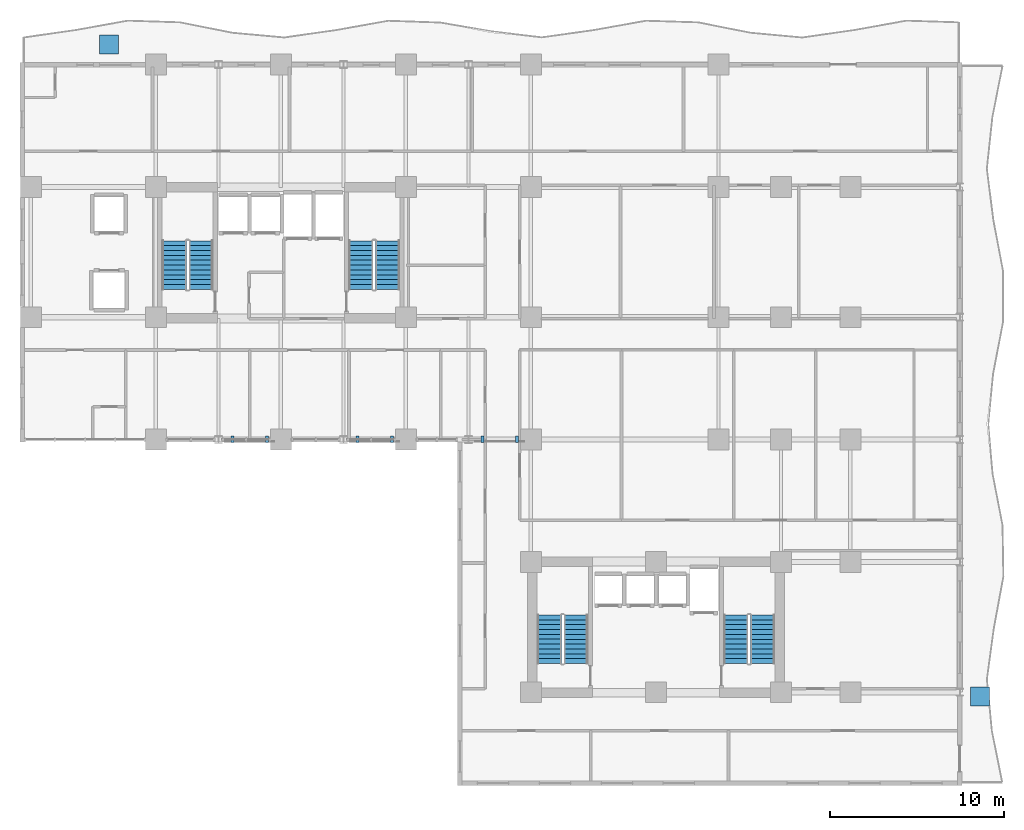
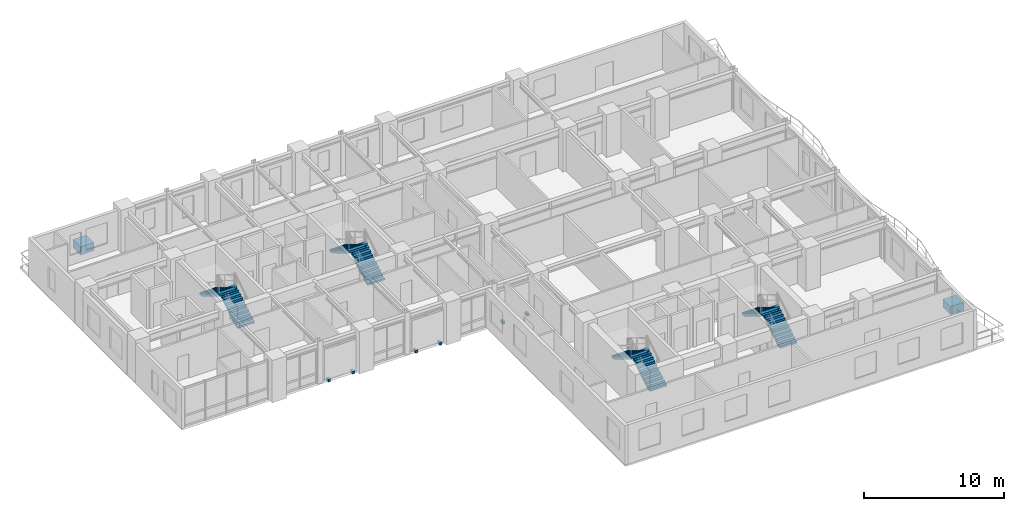
# One storey, part 13 of 16: 8 discrete accessories, 8 stair flights, 4 elements without a shape of their own.
"""IFC4 building model written with IfcOpenShell, lengths in metres."""

from ifc_helpers import new_model, si_unit, direction, frame, origin, origin_2d, place, context, subcontext, project, spatial, polyline, rectangle, outline, extrude, source, transform, mapped, material, type_object, element, aggregate, save


model = new_model("IFC4")

# Units and contexts
model_context = context("Model", 3, precision=1e-05, world=origin(), true_north=direction((0.0, 1.0)))
body_context = subcontext(model_context, "Body", "Model", "MODEL_VIEW")
ifc_project = project(units=[si_unit("LENGTHUNIT", "METRE"), si_unit("AREAUNIT", "SQUARE_METRE"), si_unit("VOLUMEUNIT", "CUBIC_METRE"), si_unit("PLANEANGLEUNIT", "RADIAN"), si_unit("MASSUNIT", "GRAM", prefix="KILO")], contexts=[model_context])

# Site, building, storey
site_placement = place(None, origin())
site = spatial("IfcSite", under=ifc_project, at=site_placement, CompositionType="ELEMENT")
building_placement = place(site_placement, origin())
building = spatial("IfcBuilding", under=site, at=building_placement, Name="Kaliganga Portal Commons", CompositionType="ELEMENT")
storey_placement = place(building_placement, frame((0.0, 0.0, 97.10009765625)))
storey = spatial("IfcBuildingStorey", under=building, at=storey_placement, Name="L24", CompositionType="ELEMENT", Elevation=97.10009765625)

# Stair, stair flights
ifc_material_1 = material(Name="Concrete C40/50", Category="concrete")
stair_type = type_object("IfcStairType", Name="ST-CORE-DOGLEG", PredefinedType="HALF_TURN_STAIR", material=ifc_material_1)
stair_1_placement = place(storey_placement, origin())
stair_1 = element("IfcStair", 1, at=stair_1_placement, inside=storey, type_object=stair_type, Name="L24 Protected Exit Stair ST-A1", PredefinedType="HALF_TURN_STAIR")
stair_flight_type = type_object("IfcStairFlightType", Name="STF-RC-1400", PredefinedType="STRAIGHT", material=ifc_material_1)
stair_flight_1_placement = place(storey_placement, frame((17.0, 30.25, 0.0), z_axis=(0.0, 0.0, 1.0), x_axis=(0.0, 1.0, 0.0)))
stair_flight_1 = element("IfcStairFlight", 2, at=stair_flight_1_placement, type_object=stair_flight_type, Name="ST-A1 flight 1", NumberOfRisers=11, NumberOfTreads=10, PredefinedType="STRAIGHT", RiserHeight=0.168181818, TreadLength=0.28, context=body_context, shape_type="SweptSolid", body=[
    extrude(outline(polyline([(0.0, 0.0), (0.0, 0.168212890625), (0.280029296875, 0.168212890625), (0.280029296875, 0.33642578125), (0.56005859375, 0.33642578125), (0.56005859375, 0.504638671875), (0.840087890625, 0.504638671875), (0.840087890625, 0.672607421875), (1.1201171875, 0.672607421875), (1.1201171875, 0.8408203125), (1.39990234375, 0.8408203125), (1.39990234375, 1.009033203125), (1.679931640625, 1.009033203125), (1.679931640625, 1.17724609375), (1.9599609375, 1.17724609375), (1.9599609375, 1.345458984375), (2.239990234375, 1.345458984375), (2.239990234375, 1.513671875), (2.52001953125, 1.513671875), (2.52001953125, 1.681884765625), (2.800048828125, 1.681884765625), (2.800048828125, 1.85009765625), (2.800048828125, 1.5068359375), (0.291015625, 0.0), (0.0, 0.0)])), frame((0.0, 0.699951171875, 0.0), z_axis=(0.0, -1.0, 0.0), x_axis=(1.0, 0.0, 0.0)), (0.0, 0.0, 1.0), 1.39990234375),
])
stair_flight_2_placement = place(storey_placement, frame((15.449951171875, 33.050048828125, 1.849853515625), z_axis=(0.0, 0.0, 1.0), x_axis=(0.0, -1.0, 0.0)))
stair_flight_2 = element("IfcStairFlight", 3, at=stair_flight_2_placement, type_object=stair_flight_type, Name="ST-A1 flight 2", NumberOfRisers=11, NumberOfTreads=10, PredefinedType="STRAIGHT", RiserHeight=0.168181818, TreadLength=0.28, context=body_context, shape_type="SweptSolid", body=[
    extrude(outline(polyline([(0.0, 0.0), (0.0, 0.168212890625), (0.280029296875, 0.168212890625), (0.280029296875, 0.33642578125), (0.56005859375, 0.33642578125), (0.56005859375, 0.504638671875), (0.840087890625, 0.504638671875), (0.840087890625, 0.672607421875), (1.1201171875, 0.672607421875), (1.1201171875, 0.8408203125), (1.39990234375, 0.8408203125), (1.39990234375, 1.009033203125), (1.679931640625, 1.009033203125), (1.679931640625, 1.17724609375), (1.9599609375, 1.17724609375), (1.9599609375, 1.345458984375), (2.239990234375, 1.345458984375), (2.239990234375, 1.513671875), (2.52001953125, 1.513671875), (2.52001953125, 1.681884765625), (2.800048828125, 1.681884765625), (2.800048828125, 1.85009765625), (2.800048828125, 1.5068359375), (0.291015625, 0.0), (0.0, 0.0)])), frame((0.0, 0.699951171875, 0.0), z_axis=(0.0, -1.0, 0.0), x_axis=(1.0, 0.0, 0.0)), (0.0, 0.0, 1.0), 1.39990234375),
])
aggregate(stair_1, [stair_flight_1, stair_flight_2])

stair_2_placement = place(storey_placement, origin())
stair_2 = element("IfcStair", 4, at=stair_2_placement, inside=storey, type_object=stair_type, Name="L24 Protected Exit Stair ST-A2", PredefinedType="HALF_TURN_STAIR")
stair_flight_3_placement = place(storey_placement, frame((27.75, 30.25, 0.0), z_axis=(0.0, 0.0, 1.0), x_axis=(0.0, 1.0, 0.0)))
stair_flight_3 = element("IfcStairFlight", 5, at=stair_flight_3_placement, type_object=stair_flight_type, Name="ST-A2 flight 1", NumberOfRisers=11, NumberOfTreads=10, PredefinedType="STRAIGHT", RiserHeight=0.168181818, TreadLength=0.28, context=body_context, shape_type="SweptSolid", body=[
    extrude(outline(polyline([(0.0, 0.0), (0.0, 0.168212890625), (0.280029296875, 0.168212890625), (0.280029296875, 0.33642578125), (0.56005859375, 0.33642578125), (0.56005859375, 0.504638671875), (0.840087890625, 0.504638671875), (0.840087890625, 0.672607421875), (1.1201171875, 0.672607421875), (1.1201171875, 0.8408203125), (1.39990234375, 0.8408203125), (1.39990234375, 1.009033203125), (1.679931640625, 1.009033203125), (1.679931640625, 1.17724609375), (1.9599609375, 1.17724609375), (1.9599609375, 1.345458984375), (2.239990234375, 1.345458984375), (2.239990234375, 1.513671875), (2.52001953125, 1.513671875), (2.52001953125, 1.681884765625), (2.800048828125, 1.681884765625), (2.800048828125, 1.85009765625), (2.800048828125, 1.5068359375), (0.291015625, 0.0), (0.0, 0.0)])), frame((0.0, 0.699951171875, 0.0), z_axis=(0.0, -1.0, 0.0), x_axis=(1.0, 0.0, 0.0)), (0.0, 0.0, 1.0), 1.39990234375),
])
stair_flight_4_placement = place(storey_placement, frame((26.199951171875, 33.050048828125, 1.849853515625), z_axis=(0.0, 0.0, 1.0), x_axis=(0.0, -1.0, 0.0)))
stair_flight_4 = element("IfcStairFlight", 6, at=stair_flight_4_placement, type_object=stair_flight_type, Name="ST-A2 flight 2", NumberOfRisers=11, NumberOfTreads=10, PredefinedType="STRAIGHT", RiserHeight=0.168181818, TreadLength=0.28, context=body_context, shape_type="SweptSolid", body=[
    extrude(outline(polyline([(0.0, 0.0), (0.0, 0.168212890625), (0.280029296875, 0.168212890625), (0.280029296875, 0.33642578125), (0.56005859375, 0.33642578125), (0.56005859375, 0.504638671875), (0.840087890625, 0.504638671875), (0.840087890625, 0.672607421875), (1.1201171875, 0.672607421875), (1.1201171875, 0.8408203125), (1.39990234375, 0.8408203125), (1.39990234375, 1.009033203125), (1.679931640625, 1.009033203125), (1.679931640625, 1.17724609375), (1.9599609375, 1.17724609375), (1.9599609375, 1.345458984375), (2.239990234375, 1.345458984375), (2.239990234375, 1.513671875), (2.52001953125, 1.513671875), (2.52001953125, 1.681884765625), (2.800048828125, 1.681884765625), (2.800048828125, 1.85009765625), (2.800048828125, 1.5068359375), (0.291015625, 0.0), (0.0, 0.0)])), frame((0.0, 0.699951171875, 0.0), z_axis=(0.0, -1.0, 0.0), x_axis=(1.0, 0.0, 0.0)), (0.0, 0.0, 1.0), 1.39990234375),
])
aggregate(stair_2, [stair_flight_3, stair_flight_4])

stair_3_placement = place(storey_placement, origin())
stair_3 = element("IfcStair", 7, at=stair_3_placement, inside=storey, type_object=stair_type, Name="L24 Protected Exit Stair ST-B1", PredefinedType="HALF_TURN_STAIR")
stair_flight_5_placement = place(storey_placement, frame((38.60009765625, 8.699951171875, 0.0), z_axis=(0.0, 0.0, 1.0), x_axis=(0.0, 1.0, 0.0)))
stair_flight_5 = element("IfcStairFlight", 8, at=stair_flight_5_placement, type_object=stair_flight_type, Name="ST-B1 flight 1", NumberOfRisers=11, NumberOfTreads=10, PredefinedType="STRAIGHT", RiserHeight=0.168181818, TreadLength=0.28, context=body_context, shape_type="SweptSolid", body=[
    extrude(outline(polyline([(0.0, 0.0), (0.0, 0.168212890625), (0.280029296875, 0.168212890625), (0.280029296875, 0.33642578125), (0.56005859375, 0.33642578125), (0.56005859375, 0.504638671875), (0.840087890625, 0.504638671875), (0.840087890625, 0.672607421875), (1.1201171875, 0.672607421875), (1.1201171875, 0.8408203125), (1.39990234375, 0.8408203125), (1.39990234375, 1.009033203125), (1.679931640625, 1.009033203125), (1.679931640625, 1.17724609375), (1.9599609375, 1.17724609375), (1.9599609375, 1.345458984375), (2.239990234375, 1.345458984375), (2.239990234375, 1.513671875), (2.52001953125, 1.513671875), (2.52001953125, 1.681884765625), (2.800048828125, 1.681884765625), (2.800048828125, 1.85009765625), (2.800048828125, 1.5068359375), (0.291015625, 0.0), (0.0, 0.0)])), frame((0.0, 0.699951171875, 0.0), z_axis=(0.0, -1.0, 0.0), x_axis=(1.0, 0.0, 0.0)), (0.0, 0.0, 1.0), 1.39990234375),
])
stair_flight_6_placement = place(storey_placement, frame((37.050048828125, 11.5, 1.849853515625), z_axis=(0.0, 0.0, 1.0), x_axis=(0.0, -1.0, 0.0)))
stair_flight_6 = element("IfcStairFlight", 9, at=stair_flight_6_placement, type_object=stair_flight_type, Name="ST-B1 flight 2", NumberOfRisers=11, NumberOfTreads=10, PredefinedType="STRAIGHT", RiserHeight=0.168181818, TreadLength=0.28, context=body_context, shape_type="SweptSolid", body=[
    extrude(outline(polyline([(0.0, 0.0), (0.0, 0.168212890625), (0.280029296875, 0.168212890625), (0.280029296875, 0.33642578125), (0.56005859375, 0.33642578125), (0.56005859375, 0.504638671875), (0.840087890625, 0.504638671875), (0.840087890625, 0.672607421875), (1.1201171875, 0.672607421875), (1.1201171875, 0.8408203125), (1.39990234375, 0.8408203125), (1.39990234375, 1.009033203125), (1.679931640625, 1.009033203125), (1.679931640625, 1.17724609375), (1.9599609375, 1.17724609375), (1.9599609375, 1.345458984375), (2.239990234375, 1.345458984375), (2.239990234375, 1.513671875), (2.52001953125, 1.513671875), (2.52001953125, 1.681884765625), (2.800048828125, 1.681884765625), (2.800048828125, 1.85009765625), (2.800048828125, 1.5068359375), (0.291015625, 0.0), (0.0, 0.0)])), frame((0.0, 0.699951171875, 0.0), z_axis=(0.0, -1.0, 0.0), x_axis=(1.0, 0.0, 0.0)), (0.0, 0.0, 1.0), 1.39990234375),
])
aggregate(stair_3, [stair_flight_5, stair_flight_6])

stair_4_placement = place(storey_placement, origin())
stair_4 = element("IfcStair", 10, at=stair_4_placement, inside=storey, type_object=stair_type, Name="L24 Protected Exit Stair ST-B2", PredefinedType="HALF_TURN_STAIR")
stair_flight_7_placement = place(storey_placement, frame((49.35009765625, 8.699951171875, 0.0), z_axis=(0.0, 0.0, 1.0), x_axis=(0.0, 1.0, 0.0)))
stair_flight_7 = element("IfcStairFlight", 11, at=stair_flight_7_placement, type_object=stair_flight_type, Name="ST-B2 flight 1", NumberOfRisers=11, NumberOfTreads=10, PredefinedType="STRAIGHT", RiserHeight=0.168181818, TreadLength=0.28, context=body_context, shape_type="SweptSolid", body=[
    extrude(outline(polyline([(0.0, 0.0), (0.0, 0.168212890625), (0.280029296875, 0.168212890625), (0.280029296875, 0.33642578125), (0.56005859375, 0.33642578125), (0.56005859375, 0.504638671875), (0.840087890625, 0.504638671875), (0.840087890625, 0.672607421875), (1.1201171875, 0.672607421875), (1.1201171875, 0.8408203125), (1.39990234375, 0.8408203125), (1.39990234375, 1.009033203125), (1.679931640625, 1.009033203125), (1.679931640625, 1.17724609375), (1.9599609375, 1.17724609375), (1.9599609375, 1.345458984375), (2.239990234375, 1.345458984375), (2.239990234375, 1.513671875), (2.52001953125, 1.513671875), (2.52001953125, 1.681884765625), (2.800048828125, 1.681884765625), (2.800048828125, 1.85009765625), (2.800048828125, 1.5068359375), (0.291015625, 0.0), (0.0, 0.0)])), frame((0.0, 0.699951171875, 0.0), z_axis=(0.0, -1.0, 0.0), x_axis=(1.0, 0.0, 0.0)), (0.0, 0.0, 1.0), 1.39990234375),
])
stair_flight_8_placement = place(storey_placement, frame((47.800048828125, 11.5, 1.849853515625), z_axis=(0.0, 0.0, 1.0), x_axis=(0.0, -1.0, 0.0)))
stair_flight_8 = element("IfcStairFlight", 12, at=stair_flight_8_placement, type_object=stair_flight_type, Name="ST-B2 flight 2", NumberOfRisers=11, NumberOfTreads=10, PredefinedType="STRAIGHT", RiserHeight=0.168181818, TreadLength=0.28, context=body_context, shape_type="SweptSolid", body=[
    extrude(outline(polyline([(0.0, 0.0), (0.0, 0.168212890625), (0.280029296875, 0.168212890625), (0.280029296875, 0.33642578125), (0.56005859375, 0.33642578125), (0.56005859375, 0.504638671875), (0.840087890625, 0.504638671875), (0.840087890625, 0.672607421875), (1.1201171875, 0.672607421875), (1.1201171875, 0.8408203125), (1.39990234375, 0.8408203125), (1.39990234375, 1.009033203125), (1.679931640625, 1.009033203125), (1.679931640625, 1.17724609375), (1.9599609375, 1.17724609375), (1.9599609375, 1.345458984375), (2.239990234375, 1.345458984375), (2.239990234375, 1.513671875), (2.52001953125, 1.513671875), (2.52001953125, 1.681884765625), (2.800048828125, 1.681884765625), (2.800048828125, 1.85009765625), (2.800048828125, 1.5068359375), (0.291015625, 0.0), (0.0, 0.0)])), frame((0.0, 0.699951171875, 0.0), z_axis=(0.0, -1.0, 0.0), x_axis=(1.0, 0.0, 0.0)), (0.0, 0.0, 1.0), 1.39990234375),
])
aggregate(stair_4, [stair_flight_7, stair_flight_8])

# Discrete accessories
ifc_material_2 = material(Name="Precast concrete C40/50", Category="concrete")
discrete_accessory_type_1 = type_object("IfcDiscreteAccessoryType", Name="DAC-PLANTER-RC", PredefinedType="USERDEFINED", material=ifc_material_2)
shared_shape_1 = source(origin(), body_context, "Body", "SweptSolid", [
    extrude(rectangle(XDim=1.10009765625, YDim=1.10009765625, at=origin_2d()), origin(), (0.0, 0.0, 1.0), 0.719970703125),
])
for number, where, z_axis, x_axis, name in (
    (13, (11.699951171875, 44.35009765625, 0.0), (0.0, 0.0, 1.0), (1.0, 0.0, 0.0), "Structural Tree Planter L24 balc_north"),
    (14, (61.85009765625, 6.800048828125, 0.0), (0.0, 0.0, 1.0), (1.0, 0.0, 0.0), "Structural Tree Planter L24 balc_east"),
):
    element("IfcDiscreteAccessory", number, at=place(storey_placement, frame(where, z_axis=z_axis, x_axis=x_axis)), inside=storey, type_object=discrete_accessory_type_1, Name=name, ObjectType="PLANTER", PredefinedType="USERDEFINED", context=body_context, shape_type="MappedRepresentation", body=[
        mapped(shared_shape_1, transform((0.0, 0.0, 0.0), x_axis=(1.0, 0.0, 0.0), y_axis=(0.0, 1.0, 0.0), z_axis=(0.0, 0.0, 1.0), scale=1.0)),
    ])
ifc_material_3 = material(Name="Structural steel S355J2", Category="steel")
discrete_accessory_type_2 = type_object("IfcDiscreteAccessoryType", Name="DAC-BRK-SCR", PredefinedType="BRACKET", material=ifc_material_3)
shared_shape_2 = source(origin(), body_context, "Body", "SweptSolid", [
    extrude(rectangle(XDim=0.179931640625, YDim=0.360107421875, at=origin_2d()), origin(), (0.0, 0.0, 1.0), 0.219970703125),
])
for number, where, z_axis, x_axis, name in (
    (15, (18.800048828125, 21.6201171875, -0.18994140625), (0.0, 0.0, 1.0), (1.0, 0.0, 0.0), "Solar Screen Outrigger Bracket L24-S1-1"),
    (16, (20.800048828125, 21.6201171875, -0.18994140625), (0.0, 0.0, 1.0), (1.0, 0.0, 0.0), "Solar Screen Outrigger Bracket L24-S1-2"),
    (17, (26.0, 21.6201171875, -0.18994140625), (0.0, 0.0, 1.0), (1.0, 0.0, 0.0), "Solar Screen Outrigger Bracket L24-S2-1"),
    (18, (28.0, 21.6201171875, -0.18994140625), (0.0, 0.0, 1.0), (1.0, 0.0, 0.0), "Solar Screen Outrigger Bracket L24-S2-2"),
    (19, (33.199951171875, 21.6201171875, -0.18994140625), (0.0, 0.0, 1.0), (1.0, 0.0, 0.0), "Solar Screen Outrigger Bracket L24-S3-1"),
    (20, (35.199951171875, 21.6201171875, -0.18994140625), (0.0, 0.0, 1.0), (1.0, 0.0, 0.0), "Solar Screen Outrigger Bracket L24-S3-2"),
):
    element("IfcDiscreteAccessory", number, at=place(storey_placement, frame(where, z_axis=z_axis, x_axis=x_axis)), inside=storey, type_object=discrete_accessory_type_2, Name=name, PredefinedType="BRACKET", context=body_context, shape_type="MappedRepresentation", body=[
        mapped(shared_shape_2, transform((0.0, 0.0, 0.0), x_axis=(1.0, 0.0, 0.0), y_axis=(0.0, 1.0, 0.0), z_axis=(0.0, 0.0, 1.0), scale=1.0)),
    ])

save(model, "model.ifc")
